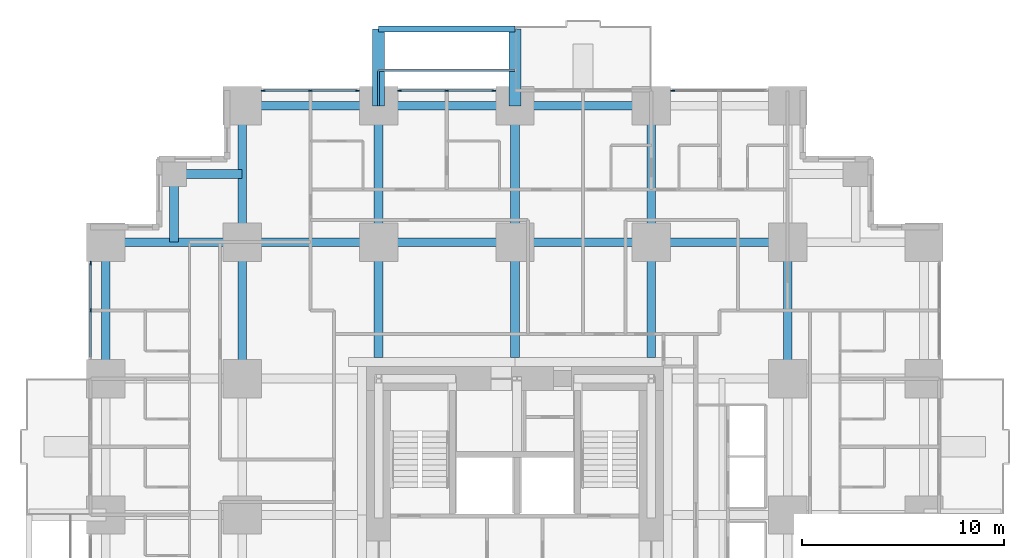
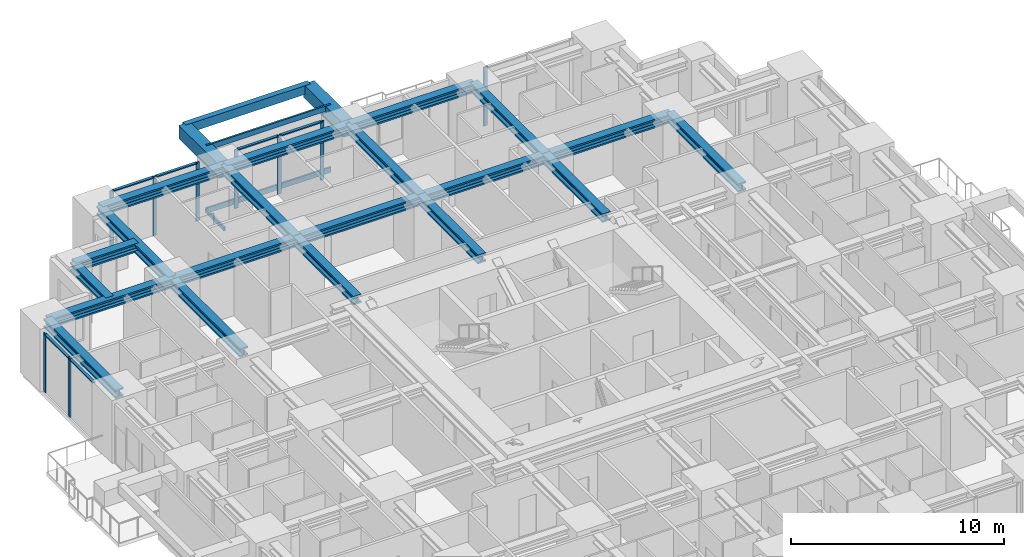
# One storey, part 5 of 15: 23 beams, 18 members, 4 elements without a shape of their own.
"""IFC4 building model written with IfcOpenShell, lengths in metres."""

from ifc_helpers import new_model, si_unit, direction, frame, origin, origin_2d, place, context, subcontext, project, spatial, rectangle, hollow_rectangle, i_section, extrude, material, material_profile, profile_set, type_object, element, aggregate, save


model = new_model("IFC4")

# Units and contexts
model_context = context("Model", 3, precision=1e-05, world=origin(), true_north=direction((0.0, 1.0)))
body_context = subcontext(model_context, "Body", "Model", "MODEL_VIEW")
ifc_project = project(units=[si_unit("LENGTHUNIT", "METRE"), si_unit("AREAUNIT", "SQUARE_METRE"), si_unit("VOLUMEUNIT", "CUBIC_METRE"), si_unit("PLANEANGLEUNIT", "RADIAN"), si_unit("MASSUNIT", "GRAM", prefix="KILO")], contexts=[model_context])

# Site, building, storey
site_placement = place(None, origin())
site = spatial("IfcSite", under=ifc_project, at=site_placement, CompositionType="ELEMENT")
building_placement = place(site_placement, origin())
building = spatial("IfcBuilding", under=site, at=building_placement, Name="Nyansa Garden Tower", CompositionType="ELEMENT")
storey_placement = place(building_placement, frame((0.0, 0.0, 36.0)))
storey = spatial("IfcBuildingStorey", under=building, at=storey_placement, Name="L09", CompositionType="ELEMENT", Elevation=36.0)

# Beams
ifc_material_1 = material(Name="Concrete C70/85", Category="concrete")
ifc_material_profile_1 = material_profile(ifc_material_1, rectangle(XDim=0.60009765625, YDim=0.75, at=origin_2d()), Name="RC 600x750")
ifc_profile_set_1 = profile_set([ifc_material_profile_1], Name="Concrete C70/85")
beam_type_1 = type_object("IfcBeamType", Name="Balcony cantilever beam CB1 RC 600x750", PredefinedType="BEAM", material=ifc_profile_set_1)
for number, where, z_axis, x_axis, name in (
    (1, (13.5, 40.5, 2.985107421875), (0.0, 1.0, 0.0), (-1.0, 0.0, 0.0), "Balcony cantilever beam L10"),
    (2, (20.25, 40.5, 2.985107421875), (0.0, 1.0, 0.0), (-1.0, 0.0, 0.0), "Balcony cantilever beam L10"),
):
    element("IfcBeam", number, at=place(storey_placement, frame(where, z_axis=z_axis, x_axis=x_axis)), inside=storey, type_object=beam_type_1, Name=name, PredefinedType="BEAM", context=body_context, shape_type="SweptSolid", body=[
        extrude(rectangle(XDim=0.60009765625, YDim=0.75, at=origin_2d()), origin(), (0.0, 0.0, 1.0), 3.800048828125),
    ])
ifc_material_2 = material(Name="Concrete C70/85", Category="concrete")
ifc_material_profile_2 = material_profile(ifc_material_2, rectangle(XDim=0.300048828125, YDim=0.5, at=origin_2d()), Name="RC 300x500")
ifc_profile_set_2 = profile_set([ifc_material_profile_2], Name="Concrete C70/85")
beam_type_2 = type_object("IfcBeamType", Name="Balcony edge beam BE1 RC 300x500", PredefinedType="BEAM", material=ifc_profile_set_2)
beam_1_placement = place(storey_placement, frame((13.5, 44.300048828125, 3.110107421875), z_axis=(1.0, 0.0, 0.0), x_axis=(0.0, 1.0, 0.0)))
element("IfcBeam", 3, at=beam_1_placement, inside=storey, type_object=beam_type_2, Name="Balcony edge beam L10", PredefinedType="BEAM", context=body_context, shape_type="SweptSolid", body=[
    extrude(rectangle(XDim=0.300048828125, YDim=0.5, at=origin_2d()), origin(), (0.0, 0.0, 1.0), 6.75),
])

# Curtain wall, members
ifc_material_3 = material(Name="Black anodised aluminium, dark tinted double glazing", Category="aluminium")
curtain_wall_type = type_object("IfcCurtainWallType", Name="Inner skin curtain wall ISW-A", PredefinedType="USERDEFINED", material=ifc_material_3)
curtain_wall_1_placement = place(storey_placement, origin())
curtain_wall_1 = element("IfcCurtainWall", 4, at=curtain_wall_1_placement, inside=storey, type_object=curtain_wall_type, Name="Inner skin curtain wall L09 N", ObjectType="UNITISED CURTAIN WALL", PredefinedType="USERDEFINED")
ifc_material_4 = material(Name="Black anodised aluminium", Category="aluminium")
ifc_material_profile_3 = material_profile(ifc_material_4, rectangle(XDim=0.06494140625, YDim=0.199951171875, at=origin_2d()), Name="Mullion 200x65")
ifc_profile_set_3 = profile_set([ifc_material_profile_3], Name="Black anodised aluminium")
member_type_1 = type_object("IfcMemberType", Name="Mullion ISW-A 200x65", PredefinedType="MULLION", material=ifc_profile_set_3)
member_1_placement = place(storey_placement, frame((19.199951171875, 41.25, 0.0), z_axis=(0.0, 0.0, 1.0), x_axis=(0.0, -1.0, 0.0)))
member_1 = element("IfcMember", 5, at=member_1_placement, type_object=member_type_1, Name="ISW-A mullion 1", PredefinedType="MULLION", context=body_context, shape_type="SweptSolid", body=[
    extrude(rectangle(XDim=0.06494140625, YDim=0.199951171875, at=origin_2d()), origin(), (0.0, 0.0, 1.0), 3.375),
])
member_2_placement = place(storey_placement, frame((16.875, 41.25, 0.0), z_axis=(0.0, 0.0, 1.0), x_axis=(0.0, -1.0, 0.0)))
member_2 = element("IfcMember", 6, at=member_2_placement, type_object=member_type_1, Name="ISW-A mullion 2", PredefinedType="MULLION", context=body_context, shape_type="SweptSolid", body=[
    extrude(rectangle(XDim=0.06494140625, YDim=0.199951171875, at=origin_2d()), origin(), (0.0, 0.0, 1.0), 3.375),
])
member_3_placement = place(storey_placement, frame((14.550048828125, 41.25, 0.0), z_axis=(0.0, 0.0, 1.0), x_axis=(0.0, -1.0, 0.0)))
member_3 = element("IfcMember", 7, at=member_3_placement, type_object=member_type_1, Name="ISW-A mullion 3", PredefinedType="MULLION", context=body_context, shape_type="SweptSolid", body=[
    extrude(rectangle(XDim=0.06494140625, YDim=0.199951171875, at=origin_2d()), origin(), (0.0, 0.0, 1.0), 3.375),
])

curtain_wall_2_placement = place(storey_placement, origin())
curtain_wall_2 = element("IfcCurtainWall", 8, at=curtain_wall_2_placement, inside=storey, type_object=curtain_wall_type, Name="Inner skin curtain wall L09 N", ObjectType="UNITISED CURTAIN WALL", PredefinedType="USERDEFINED")
member_4_placement = place(storey_placement, frame((12.449951171875, 41.25, 0.0), z_axis=(0.0, 0.0, 1.0), x_axis=(0.0, -1.0, 0.0)))
member_4 = element("IfcMember", 9, at=member_4_placement, type_object=member_type_1, Name="ISW-A mullion 1", PredefinedType="MULLION", context=body_context, shape_type="SweptSolid", body=[
    extrude(rectangle(XDim=0.06494140625, YDim=0.199951171875, at=origin_2d()), origin(), (0.0, 0.0, 1.0), 3.375),
])
member_5_placement = place(storey_placement, frame((10.125, 41.25, 0.0), z_axis=(0.0, 0.0, 1.0), x_axis=(0.0, -1.0, 0.0)))
member_5 = element("IfcMember", 10, at=member_5_placement, type_object=member_type_1, Name="ISW-A mullion 2", PredefinedType="MULLION", context=body_context, shape_type="SweptSolid", body=[
    extrude(rectangle(XDim=0.06494140625, YDim=0.199951171875, at=origin_2d()), origin(), (0.0, 0.0, 1.0), 3.375),
])
member_6_placement = place(storey_placement, frame((7.800048828125, 41.25, 0.0), z_axis=(0.0, 0.0, 1.0), x_axis=(0.0, -1.0, 0.0)))
member_6 = element("IfcMember", 11, at=member_6_placement, type_object=member_type_1, Name="ISW-A mullion 3", PredefinedType="MULLION", context=body_context, shape_type="SweptSolid", body=[
    extrude(rectangle(XDim=0.06494140625, YDim=0.199951171875, at=origin_2d()), origin(), (0.0, 0.0, 1.0), 3.375),
])

# Curtain wall, member
curtain_wall_3_placement = place(storey_placement, origin())
curtain_wall_3 = element("IfcCurtainWall", 12, at=curtain_wall_3_placement, inside=storey, type_object=curtain_wall_type, Name="Inner skin curtain wall L09 N", ObjectType="UNITISED CURTAIN WALL", PredefinedType="USERDEFINED")
member_7_placement = place(storey_placement, frame((28.050048828125, 41.25, 0.0), z_axis=(0.0, 0.0, 1.0), x_axis=(0.0, -1.0, 0.0)))
member_7 = element("IfcMember", 13, at=member_7_placement, type_object=member_type_1, Name="ISW-A mullion 3", PredefinedType="MULLION", context=body_context, shape_type="SweptSolid", body=[
    extrude(rectangle(XDim=0.06494140625, YDim=0.199951171875, at=origin_2d()), origin(), (0.0, 0.0, 1.0), 3.375),
])
aggregate(curtain_wall_3, [member_7])

# Curtain wall, members
curtain_wall_4_placement = place(storey_placement, origin())
curtain_wall_4 = element("IfcCurtainWall", 14, at=curtain_wall_4_placement, inside=storey, type_object=curtain_wall_type, Name="Inner skin curtain wall L09 W", ObjectType="UNITISED CURTAIN WALL", PredefinedType="USERDEFINED")
member_8_placement = place(storey_placement, frame((-0.75, 32.699951171875, 0.0), z_axis=(0.0, 0.0, 1.0), x_axis=(1.0, 0.0, 0.0)))
member_8 = element("IfcMember", 15, at=member_8_placement, type_object=member_type_1, Name="ISW-A mullion 1", PredefinedType="MULLION", context=body_context, shape_type="SweptSolid", body=[
    extrude(rectangle(XDim=0.06494140625, YDim=0.199951171875, at=origin_2d()), origin(), (0.0, 0.0, 1.0), 3.375),
])
member_9_placement = place(storey_placement, frame((-0.75, 30.375, 0.0), z_axis=(0.0, 0.0, 1.0), x_axis=(1.0, 0.0, 0.0)))
member_9 = element("IfcMember", 16, at=member_9_placement, type_object=member_type_1, Name="ISW-A mullion 2", PredefinedType="MULLION", context=body_context, shape_type="SweptSolid", body=[
    extrude(rectangle(XDim=0.06494140625, YDim=0.199951171875, at=origin_2d()), origin(), (0.0, 0.0, 1.0), 3.375),
])

# Members
ifc_material_5 = material(Name="Steel S355, black powder coated", Category="steel")
ifc_material_profile_4 = material_profile(ifc_material_5, hollow_rectangle(XDim=0.10009765625, YDim=0.199951171875, WallThickness=0.008056640625, at=origin_2d()), Name="RHS 200x100x8")
ifc_profile_set_4 = profile_set([ifc_material_profile_4], Name="Steel S355, black powder coated")
member_type_2 = type_object("IfcMemberType", Name="Outer skin bracket arm RHS 200x100x8", PredefinedType="USERDEFINED", material=ifc_profile_set_4)
member_10_placement = place(storey_placement, frame((13.5, 40.5, -0.375), z_axis=(0.0, 1.0, 0.0), x_axis=(-1.0, 0.0, 0.0)))
element("IfcMember", 17, at=member_10_placement, inside=storey, type_object=member_type_2, Name="Outer skin bracket arm", ObjectType="OUTER SKIN BRACKET", PredefinedType="USERDEFINED", context=body_context, shape_type="SweptSolid", body=[
    extrude(hollow_rectangle(XDim=0.10009765625, YDim=0.199951171875, WallThickness=0.008056640625, at=origin_2d()), origin(), (0.0, 0.0, 1.0), 1.75),
])
ifc_material_6 = material(Name="Steel S355, black powder coated", Category="steel")
ifc_material_profile_5 = material_profile(ifc_material_6, hollow_rectangle(XDim=0.10009765625, YDim=0.300048828125, WallThickness=0.010009765625, at=origin_2d()), Name="RHS 300x100x10")
ifc_profile_set_5 = profile_set([ifc_material_profile_5], Name="Steel S355, black powder coated")
member_type_3 = type_object("IfcMemberType", Name="Outer skin rail RHS 300x100x10", PredefinedType="USERDEFINED", material=ifc_profile_set_5)
for number, where, z_axis, x_axis, name in (
    (18, (13.5, 42.25, -0.375), (1.0, 0.0, 0.0), (0.0, 1.0, 0.0), "Outer skin rail L09"),
    (19, (13.5, 42.25, 3.22509765625), (1.0, 0.0, 0.0), (0.0, 1.0, 0.0), "Outer skin rail L09 head"),
):
    element("IfcMember", number, at=place(storey_placement, frame(where, z_axis=z_axis, x_axis=x_axis)), inside=storey, type_object=member_type_3, Name=name, ObjectType="OUTER SKIN RAIL", PredefinedType="USERDEFINED", context=body_context, shape_type="SweptSolid", body=[
        extrude(hollow_rectangle(XDim=0.10009765625, YDim=0.300048828125, WallThickness=0.010009765625, at=origin_2d()), origin(), (0.0, 0.0, 1.0), 6.75),
    ])

# Beams
ifc_material_7 = material(Name="Steel S355", Category="steel")
ifc_material_profile_6 = material_profile(ifc_material_7, i_section(OverallWidth=0.431884765625, OverallDepth=0.498046875, WebThickness=0.0556640625, FlangeThickness=0.0888671875, FilletRadius=0.014892578125, at=origin_2d()), Name="HD 400x744")
ifc_profile_set_6 = profile_set([ifc_material_profile_6], Name="Steel S355")
beam_type_3 = type_object("IfcBeamType", Name="Steel beam SBA1-744 HD 400x744", PredefinedType="BEAM", material=ifc_profile_set_6)
for number, where, z_axis, x_axis, name in (
    (20, (0.0, 33.75, 3.1259765625), (1.0, 0.0, 0.0), (0.0, 1.0, 0.0), "Steel beam 2/J-3/J L10"),
    (21, (6.75, 27.0, 3.1259765625), (0.0, 1.0, 0.0), (-1.0, 0.0, 0.0), "Steel beam 3/H-3/J L10"),
    (22, (6.75, 33.75, 3.1259765625), (0.0, 1.0, 0.0), (-1.0, 0.0, 0.0), "Steel beam 3/J-3/K L10"),
    (23, (6.75, 33.75, 3.1259765625), (1.0, 0.0, 0.0), (0.0, 1.0, 0.0), "Steel beam 3/J-4/J L10"),
):
    element("IfcBeam", number, at=place(storey_placement, frame(where, z_axis=z_axis, x_axis=x_axis)), inside=storey, type_object=beam_type_3, Name=name, PredefinedType="BEAM", context=body_context, shape_type="SweptSolid", body=[
        extrude(i_section(OverallWidth=0.431884765625, OverallDepth=0.498046875, WebThickness=0.0556640625, FlangeThickness=0.0888671875, FilletRadius=0.014892578125, at=origin_2d()), origin(), (0.0, 0.0, 1.0), 6.75),
    ])
beam_2_placement = place(storey_placement, frame((13.5, 28.050048828125, 3.1259765625), z_axis=(0.0, 1.0, 0.0), x_axis=(-1.0, 0.0, 0.0)))
element("IfcBeam", 24, at=beam_2_placement, inside=storey, type_object=beam_type_3, Name="Steel beam 4/28.050-4/J L10", PredefinedType="BEAM", context=body_context, shape_type="SweptSolid", body=[
    extrude(i_section(OverallWidth=0.431884765625, OverallDepth=0.498046875, WebThickness=0.0556640625, FlangeThickness=0.0888671875, FilletRadius=0.014892578125, at=origin_2d()), origin(), (0.0, 0.0, 1.0), 5.699951171875),
])
for number, where, z_axis, x_axis, name in (
    (25, (13.5, 33.75, 3.1259765625), (0.0, 1.0, 0.0), (-1.0, 0.0, 0.0), "Steel beam 4/J-4/K L10"),
    (26, (13.5, 33.75, 3.1259765625), (1.0, 0.0, 0.0), (0.0, 1.0, 0.0), "Steel beam 4/J-5/J L10"),
):
    element("IfcBeam", number, at=place(storey_placement, frame(where, z_axis=z_axis, x_axis=x_axis)), inside=storey, type_object=beam_type_3, Name=name, PredefinedType="BEAM", context=body_context, shape_type="SweptSolid", body=[
        extrude(i_section(OverallWidth=0.431884765625, OverallDepth=0.498046875, WebThickness=0.0556640625, FlangeThickness=0.0888671875, FilletRadius=0.014892578125, at=origin_2d()), origin(), (0.0, 0.0, 1.0), 6.75),
    ])
beam_3_placement = place(storey_placement, frame((20.25, 28.050048828125, 3.1259765625), z_axis=(0.0, 1.0, 0.0), x_axis=(-1.0, 0.0, 0.0)))
element("IfcBeam", 27, at=beam_3_placement, inside=storey, type_object=beam_type_3, Name="Steel beam 5/28.050-5/J L10", PredefinedType="BEAM", context=body_context, shape_type="SweptSolid", body=[
    extrude(i_section(OverallWidth=0.431884765625, OverallDepth=0.498046875, WebThickness=0.0556640625, FlangeThickness=0.0888671875, FilletRadius=0.014892578125, at=origin_2d()), origin(), (0.0, 0.0, 1.0), 5.699951171875),
])
for number, where, z_axis, x_axis, name in (
    (28, (20.25, 33.75, 3.1259765625), (0.0, 1.0, 0.0), (-1.0, 0.0, 0.0), "Steel beam 5/J-5/K L10"),
    (29, (20.25, 33.75, 3.1259765625), (1.0, 0.0, 0.0), (0.0, 1.0, 0.0), "Steel beam 5/J-6/J L10"),
):
    element("IfcBeam", number, at=place(storey_placement, frame(where, z_axis=z_axis, x_axis=x_axis)), inside=storey, type_object=beam_type_3, Name=name, PredefinedType="BEAM", context=body_context, shape_type="SweptSolid", body=[
        extrude(i_section(OverallWidth=0.431884765625, OverallDepth=0.498046875, WebThickness=0.0556640625, FlangeThickness=0.0888671875, FilletRadius=0.014892578125, at=origin_2d()), origin(), (0.0, 0.0, 1.0), 6.75),
    ])
beam_4_placement = place(storey_placement, frame((27.0, 28.050048828125, 3.1259765625), z_axis=(0.0, 1.0, 0.0), x_axis=(-1.0, 0.0, 0.0)))
element("IfcBeam", 30, at=beam_4_placement, inside=storey, type_object=beam_type_3, Name="Steel beam 6/28.050-6/J L10", PredefinedType="BEAM", context=body_context, shape_type="SweptSolid", body=[
    extrude(i_section(OverallWidth=0.431884765625, OverallDepth=0.498046875, WebThickness=0.0556640625, FlangeThickness=0.0888671875, FilletRadius=0.014892578125, at=origin_2d()), origin(), (0.0, 0.0, 1.0), 5.699951171875),
])
for number, where, z_axis, x_axis, name in (
    (31, (27.0, 33.75, 3.1259765625), (0.0, 1.0, 0.0), (-1.0, 0.0, 0.0), "Steel beam 6/J-6/K L10"),
    (32, (27.0, 33.75, 3.1259765625), (1.0, 0.0, 0.0), (0.0, 1.0, 0.0), "Steel beam 6/J-7/J L10"),
    (33, (33.75, 27.0, 3.1259765625), (0.0, 1.0, 0.0), (-1.0, 0.0, 0.0), "Steel beam 7/H-7/J L10"),
):
    element("IfcBeam", number, at=place(storey_placement, frame(where, z_axis=z_axis, x_axis=x_axis)), inside=storey, type_object=beam_type_3, Name=name, PredefinedType="BEAM", context=body_context, shape_type="SweptSolid", body=[
        extrude(i_section(OverallWidth=0.431884765625, OverallDepth=0.498046875, WebThickness=0.0556640625, FlangeThickness=0.0888671875, FilletRadius=0.014892578125, at=origin_2d()), origin(), (0.0, 0.0, 1.0), 6.75),
    ])
ifc_material_8 = material(Name="Steel S355", Category="steel")
ifc_material_profile_7 = material_profile(ifc_material_8, i_section(OverallWidth=0.431884765625, OverallDepth=0.498046875, WebThickness=0.0556640625, FlangeThickness=0.0888671875, FilletRadius=0.014892578125, at=origin_2d()), Name="HD 400x744")
ifc_profile_set_7 = profile_set([ifc_material_profile_7], Name="Steel S355")
beam_type_4 = type_object("IfcBeamType", Name="Steel beam SEBA-744 HD 400x744", PredefinedType="BEAM", material=ifc_profile_set_7)
for number, where, z_axis, x_axis, name in (
    (34, (0.0, 27.0, 3.1259765625), (0.0, 1.0, 0.0), (-1.0, 0.0, 0.0), "Steel edge beam 2/H-2/J L10"),
    (35, (6.75, 40.5, 3.1259765625), (1.0, 0.0, 0.0), (0.0, 1.0, 0.0), "Steel edge beam 3/K-4/K L10"),
    (36, (13.5, 40.5, 3.1259765625), (1.0, 0.0, 0.0), (0.0, 1.0, 0.0), "Steel edge beam 4/K-5/K L10"),
    (37, (20.25, 40.5, 3.1259765625), (1.0, 0.0, 0.0), (0.0, 1.0, 0.0), "Steel edge beam 5/K-6/K L10"),
):
    element("IfcBeam", number, at=place(storey_placement, frame(where, z_axis=z_axis, x_axis=x_axis)), inside=storey, type_object=beam_type_4, Name=name, PredefinedType="BEAM", context=body_context, shape_type="SweptSolid", body=[
        extrude(i_section(OverallWidth=0.431884765625, OverallDepth=0.498046875, WebThickness=0.0556640625, FlangeThickness=0.0888671875, FilletRadius=0.014892578125, at=origin_2d()), origin(), (0.0, 0.0, 1.0), 6.75),
    ])
ifc_material_9 = material(Name="Steel S355", Category="steel")
ifc_material_profile_8 = material_profile(ifc_material_9, i_section(OverallWidth=0.431884765625, OverallDepth=0.498046875, WebThickness=0.0556640625, FlangeThickness=0.0888671875, FilletRadius=0.014892578125, at=origin_2d()), Name="HD 400x744")
ifc_profile_set_8 = profile_set([ifc_material_profile_8], Name="Steel S355")
beam_type_5 = type_object("IfcBeamType", Name="Steel beam SSB1-744 HD 400x744", PredefinedType="BEAM", material=ifc_profile_set_8)
for number, where, z_axis, x_axis, name in (
    (38, (3.375, 37.125, 3.1259765625), (0.0, -1.0, 0.0), (1.0, 0.0, 0.0), "Steel step beam 3.375/37.125 L10"),
    (39, (3.375, 37.125, 3.1259765625), (1.0, 0.0, 0.0), (0.0, 1.0, 0.0), "Steel step beam 3.375/37.125 L10"),
):
    element("IfcBeam", number, at=place(storey_placement, frame(where, z_axis=z_axis, x_axis=x_axis)), inside=storey, type_object=beam_type_5, Name=name, PredefinedType="BEAM", context=body_context, shape_type="SweptSolid", body=[
        extrude(i_section(OverallWidth=0.431884765625, OverallDepth=0.498046875, WebThickness=0.0556640625, FlangeThickness=0.0888671875, FilletRadius=0.014892578125, at=origin_2d()), origin(), (0.0, 0.0, 1.0), 3.375),
    ])

# Member
ifc_material_10 = material(Name="Black anodised aluminium", Category="aluminium")
ifc_material_profile_9 = material_profile(ifc_material_10, rectangle(XDim=0.14990234375, YDim=0.06494140625, at=origin_2d()), Name="Transom 150x65")
ifc_profile_set_9 = profile_set([ifc_material_profile_9], Name="Black anodised aluminium")
member_type_4 = type_object("IfcMemberType", Name="Transom ISW-A 150x65", PredefinedType="USERDEFINED", material=ifc_profile_set_9)
member_11_placement = place(storey_placement, frame((19.16748046875, 41.25, 3.342529296875), z_axis=(-1.0, 0.0, 0.0), x_axis=(0.0, -1.0, 0.0)))
member_11 = element("IfcMember", 40, at=member_11_placement, type_object=member_type_4, Name="ISW-A transom 1", ObjectType="TRANSOM", PredefinedType="USERDEFINED", context=body_context, shape_type="SweptSolid", body=[
    extrude(rectangle(XDim=0.14990234375, YDim=0.06494140625, at=origin_2d()), origin(), (0.0, 0.0, 1.0), 2.260009765625),
])

member_12_placement = place(storey_placement, frame((16.842529296875, 41.25, 3.342529296875), z_axis=(-1.0, 0.0, 0.0), x_axis=(0.0, -1.0, 0.0)))
member_12 = element("IfcMember", 41, at=member_12_placement, type_object=member_type_4, Name="ISW-A transom 2", ObjectType="TRANSOM", PredefinedType="USERDEFINED", context=body_context, shape_type="SweptSolid", body=[
    extrude(rectangle(XDim=0.14990234375, YDim=0.06494140625, at=origin_2d()), origin(), (0.0, 0.0, 1.0), 2.260009765625),
])

aggregate(curtain_wall_1, [member_1, member_2, member_3, member_11, member_12])

member_13_placement = place(storey_placement, frame((12.41748046875, 41.25, 3.342529296875), z_axis=(-1.0, 0.0, 0.0), x_axis=(0.0, -1.0, 0.0)))
member_13 = element("IfcMember", 42, at=member_13_placement, type_object=member_type_4, Name="ISW-A transom 1", ObjectType="TRANSOM", PredefinedType="USERDEFINED", context=body_context, shape_type="SweptSolid", body=[
    extrude(rectangle(XDim=0.14990234375, YDim=0.06494140625, at=origin_2d()), origin(), (0.0, 0.0, 1.0), 2.260009765625),
])

member_14_placement = place(storey_placement, frame((10.092529296875, 41.25, 3.342529296875), z_axis=(-1.0, 0.0, 0.0), x_axis=(0.0, -1.0, 0.0)))
member_14 = element("IfcMember", 43, at=member_14_placement, type_object=member_type_4, Name="ISW-A transom 2", ObjectType="TRANSOM", PredefinedType="USERDEFINED", context=body_context, shape_type="SweptSolid", body=[
    extrude(rectangle(XDim=0.14990234375, YDim=0.06494140625, at=origin_2d()), origin(), (0.0, 0.0, 1.0), 2.260009765625),
])

aggregate(curtain_wall_2, [member_4, member_5, member_6, member_13, member_14])

member_15_placement = place(storey_placement, frame((-0.75, 32.66748046875, 3.342529296875), z_axis=(0.0, -1.0, 0.0), x_axis=(1.0, 0.0, 0.0)))
member_15 = element("IfcMember", 44, at=member_15_placement, type_object=member_type_4, Name="ISW-A transom 1", ObjectType="TRANSOM", PredefinedType="USERDEFINED", context=body_context, shape_type="SweptSolid", body=[
    extrude(rectangle(XDim=0.14990234375, YDim=0.06494140625, at=origin_2d()), origin(), (0.0, 0.0, 1.0), 2.260009765625),
])

member_16_placement = place(storey_placement, frame((-0.75, 30.342529296875, 3.342529296875), z_axis=(0.0, -1.0, 0.0), x_axis=(1.0, 0.0, 0.0)))
member_16 = element("IfcMember", 45, at=member_16_placement, type_object=member_type_4, Name="ISW-A transom 2", ObjectType="TRANSOM", PredefinedType="USERDEFINED", context=body_context, shape_type="SweptSolid", body=[
    extrude(rectangle(XDim=0.14990234375, YDim=0.06494140625, at=origin_2d()), origin(), (0.0, 0.0, 1.0), 2.260009765625),
])

aggregate(curtain_wall_4, [member_8, member_9, member_15, member_16])

save(model, "model.ifc")
